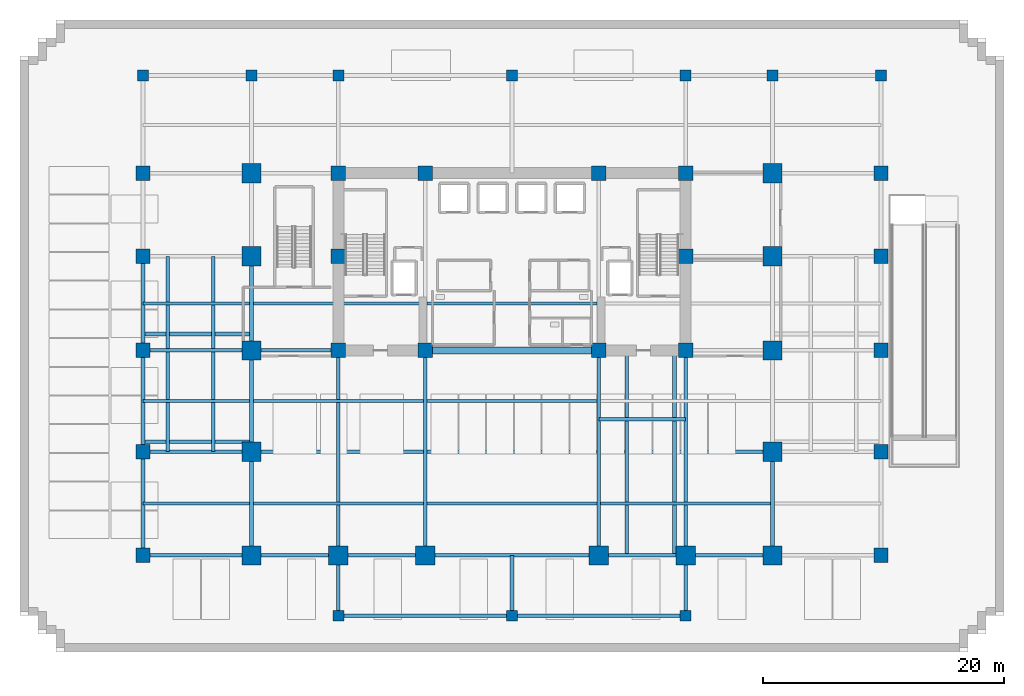
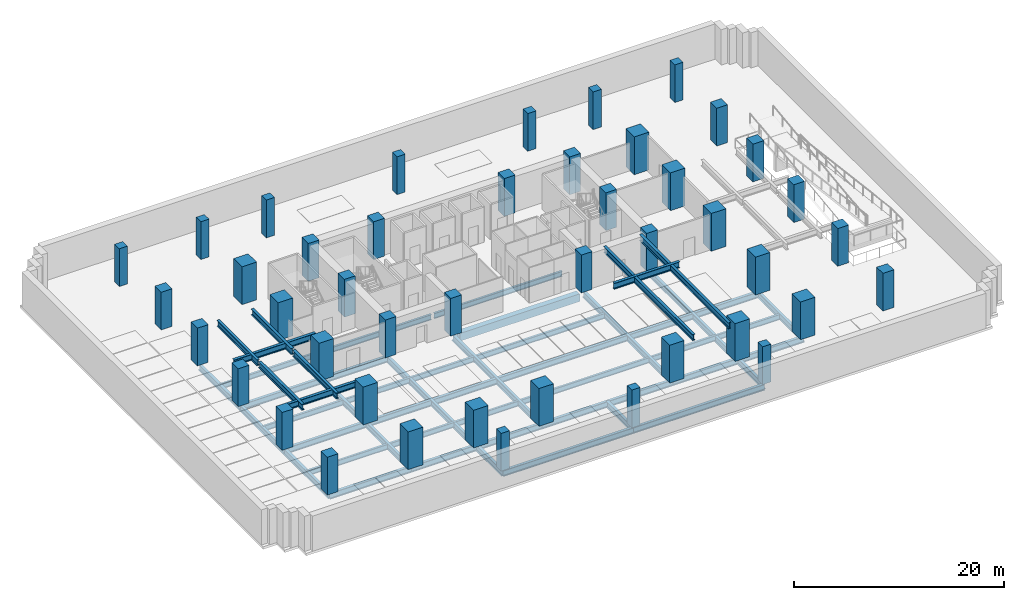
# One storey, part 1 of 14: 46 beams, 44 columns.
"""IFC4 building model written with IfcOpenShell, lengths in metres."""

from ifc_helpers import new_model, si_unit, direction, frame, origin, origin_2d, place, context, subcontext, project, spatial, rectangle, i_section, extrude, material, material_profile, profile_set, type_object, element, save


model = new_model("IFC4")

# Units and contexts
model_context = context("Model", 3, precision=1e-05, world=origin(), true_north=direction((0.0, 1.0)))
body_context = subcontext(model_context, "Body", "Model", "MODEL_VIEW")
ifc_project = project(units=[si_unit("LENGTHUNIT", "METRE"), si_unit("AREAUNIT", "SQUARE_METRE"), si_unit("VOLUMEUNIT", "CUBIC_METRE"), si_unit("PLANEANGLEUNIT", "RADIAN"), si_unit("MASSUNIT", "GRAM", prefix="KILO")], contexts=[model_context])

# Site, building, storey
site_placement = place(None, origin())
site = spatial("IfcSite", under=ifc_project, at=site_placement, CompositionType="ELEMENT")
building_placement = place(site_placement, origin())
building = spatial("IfcBuilding", under=site, at=building_placement, Name="Zarnakvel Exchange Tower", CompositionType="ELEMENT")
storey_placement = place(building_placement, frame((0.0, 0.0, -4.39990234375)))
storey = spatial("IfcBuildingStorey", under=building, at=storey_placement, Name="B01", CompositionType="ELEMENT", Elevation=-4.39990234375)

# Columns
ifc_material_1 = material(Name="Concrete C80/95", Category="concrete")
ifc_material_profile_1 = material_profile(ifc_material_1, rectangle(XDim=1.199951171875, YDim=1.199951171875, at=origin_2d()))
ifc_profile_set_1 = profile_set([ifc_material_profile_1], Name="Concrete C80/95")
column_type_1 = type_object("IfcColumnType", Name="CC-01", PredefinedType="COLUMN", material=ifc_profile_set_1)
for number, where, z_axis, x_axis, name in (
    (1, (-14.39990234375, -1.199951171875, 0.0), (0.0, 0.0, 1.0), (1.0, 0.0, 0.0), "B01 Column C-4D (CC-01)"),
    (2, (-7.199951171875, -1.199951171875, 0.0), (0.0, 0.0, 1.0), (1.0, 0.0, 0.0), "B01 Column C-5D (CC-01)"),
    (3, (7.199951171875, -1.199951171875, 0.0), (0.0, 0.0, 1.0), (1.0, 0.0, 0.0), "B01 Column C-8D (CC-01)"),
    (4, (14.39990234375, -1.199951171875, 0.0), (0.0, 0.0, 1.0), (1.0, 0.0, 0.0), "B01 Column C-9D (CC-01)"),
    (5, (-14.39990234375, 6.60009765625, 0.0), (0.0, 0.0, 1.0), (1.0, 0.0, 0.0), "B01 Column C-4E (CC-01)"),
    (6, (14.39990234375, 6.60009765625, 0.0), (0.0, 0.0, 1.0), (1.0, 0.0, 0.0), "B01 Column C-9E (CC-01)"),
    (7, (-14.39990234375, 13.5, 0.0), (0.0, 0.0, 1.0), (1.0, 0.0, 0.0), "B01 Column C-4F (CC-01)"),
    (8, (-7.199951171875, 13.5, 0.0), (0.0, 0.0, 1.0), (1.0, 0.0, 0.0), "B01 Column C-5F (CC-01)"),
    (9, (7.199951171875, 13.5, 0.0), (0.0, 0.0, 1.0), (1.0, 0.0, 0.0), "B01 Column C-8F (CC-01)"),
    (10, (14.39990234375, 13.5, 0.0), (0.0, 0.0, 1.0), (1.0, 0.0, 0.0), "B01 Column C-9F (CC-01)"),
):
    element("IfcColumn", number, at=place(storey_placement, frame(where, z_axis=z_axis, x_axis=x_axis)), inside=storey, type_object=column_type_1, Name=name, PredefinedType="COLUMN", context=body_context, shape_type="SweptSolid", body=[
        extrude(rectangle(XDim=1.199951171875, YDim=1.199951171875, at=origin_2d()), origin(), (0.0, 0.0, 1.0), 4.39990234375),
    ])
ifc_material_profile_2 = material_profile(ifc_material_1, rectangle(XDim=1.60009765625, YDim=1.60009765625, at=origin_2d()))
ifc_profile_set_2 = profile_set([ifc_material_profile_2], Name="Concrete C80/95")
column_type_2 = type_object("IfcColumnType", Name="MC-01", PredefinedType="COLUMN", material=ifc_profile_set_2)
for number, where, z_axis, x_axis, name in (
    (11, (-21.60009765625, -18.199951171875, 0.0), (0.0, 0.0, 1.0), (1.0, 0.0, 0.0), "B01 Column M-3B (MC-01)"),
    (12, (-14.39990234375, -18.199951171875, 0.0), (0.0, 0.0, 1.0), (1.0, 0.0, 0.0), "B01 Column M-4B (MC-01)"),
    (13, (-7.199951171875, -18.199951171875, 0.0), (0.0, 0.0, 1.0), (1.0, 0.0, 0.0), "B01 Column M-5B (MC-01)"),
    (14, (7.199951171875, -18.199951171875, 0.0), (0.0, 0.0, 1.0), (1.0, 0.0, 0.0), "B01 Column M-8B (MC-01)"),
    (15, (14.39990234375, -18.199951171875, 0.0), (0.0, 0.0, 1.0), (1.0, 0.0, 0.0), "B01 Column M-9B (MC-01)"),
    (16, (21.60009765625, -18.199951171875, 0.0), (0.0, 0.0, 1.0), (1.0, 0.0, 0.0), "B01 Column M-10B (MC-01)"),
    (17, (-21.60009765625, -9.60009765625, 0.0), (0.0, 0.0, 1.0), (1.0, 0.0, 0.0), "B01 Column M-3C (MC-01)"),
    (18, (21.60009765625, -9.60009765625, 0.0), (0.0, 0.0, 1.0), (1.0, 0.0, 0.0), "B01 Column M-10C (MC-01)"),
    (19, (-21.60009765625, -1.199951171875, 0.0), (0.0, 0.0, 1.0), (1.0, 0.0, 0.0), "B01 Column M-3D (MC-01)"),
    (20, (21.60009765625, -1.199951171875, 0.0), (0.0, 0.0, 1.0), (1.0, 0.0, 0.0), "B01 Column M-10D (MC-01)"),
    (21, (-21.60009765625, 6.60009765625, 0.0), (0.0, 0.0, 1.0), (1.0, 0.0, 0.0), "B01 Column M-3E (MC-01)"),
    (22, (21.60009765625, 6.60009765625, 0.0), (0.0, 0.0, 1.0), (1.0, 0.0, 0.0), "B01 Column M-10E (MC-01)"),
    (23, (-21.60009765625, 13.5, 0.0), (0.0, 0.0, 1.0), (1.0, 0.0, 0.0), "B01 Column M-3F (MC-01)"),
    (24, (21.60009765625, 13.5, 0.0), (0.0, 0.0, 1.0), (1.0, 0.0, 0.0), "B01 Column M-10F (MC-01)"),
):
    element("IfcColumn", number, at=place(storey_placement, frame(where, z_axis=z_axis, x_axis=x_axis)), inside=storey, type_object=column_type_2, Name=name, PredefinedType="COLUMN", context=body_context, shape_type="SweptSolid", body=[
        extrude(rectangle(XDim=1.60009765625, YDim=1.60009765625, at=origin_2d()), origin(), (0.0, 0.0, 1.0), 4.39990234375),
    ])
ifc_material_profile_3 = material_profile(ifc_material_1, rectangle(XDim=1.199951171875, YDim=1.199951171875, at=origin_2d()))
ifc_profile_set_3 = profile_set([ifc_material_profile_3], Name="Concrete C80/95")
column_type_3 = type_object("IfcColumnType", Name="MC-03", PredefinedType="COLUMN", material=ifc_profile_set_3)
for number, where, z_axis, x_axis, name in (
    (25, (-30.60009765625, -18.199951171875, 0.0), (0.0, 0.0, 1.0), (1.0, 0.0, 0.0), "B01 Column W-2B (MC-03)"),
    (26, (-30.60009765625, -9.60009765625, 0.0), (0.0, 0.0, 1.0), (1.0, 0.0, 0.0), "B01 Column W-2C (MC-03)"),
    (27, (-30.60009765625, -1.199951171875, 0.0), (0.0, 0.0, 1.0), (1.0, 0.0, 0.0), "B01 Column W-2D (MC-03)"),
    (28, (-30.60009765625, 6.60009765625, 0.0), (0.0, 0.0, 1.0), (1.0, 0.0, 0.0), "B01 Column W-2E (MC-03)"),
    (29, (-30.60009765625, 13.5, 0.0), (0.0, 0.0, 1.0), (1.0, 0.0, 0.0), "B01 Column W-2F (MC-03)"),
    (30, (30.60009765625, -18.199951171875, 0.0), (0.0, 0.0, 1.0), (1.0, 0.0, 0.0), "B01 Column W-11B (MC-03)"),
    (31, (30.60009765625, -9.60009765625, 0.0), (0.0, 0.0, 1.0), (1.0, 0.0, 0.0), "B01 Column W-11C (MC-03)"),
    (32, (30.60009765625, -1.199951171875, 0.0), (0.0, 0.0, 1.0), (1.0, 0.0, 0.0), "B01 Column W-11D (MC-03)"),
    (33, (30.60009765625, 6.60009765625, 0.0), (0.0, 0.0, 1.0), (1.0, 0.0, 0.0), "B01 Column W-11E (MC-03)"),
    (34, (30.60009765625, 13.5, 0.0), (0.0, 0.0, 1.0), (1.0, 0.0, 0.0), "B01 Column W-11F (MC-03)"),
):
    element("IfcColumn", number, at=place(storey_placement, frame(where, z_axis=z_axis, x_axis=x_axis)), inside=storey, type_object=column_type_3, Name=name, PredefinedType="COLUMN", context=body_context, shape_type="SweptSolid", body=[
        extrude(rectangle(XDim=1.199951171875, YDim=1.199951171875, at=origin_2d()), origin(), (0.0, 0.0, 1.0), 4.39990234375),
    ])
ifc_material_2 = material(Name="Concrete C50/60", Category="concrete")
ifc_material_profile_4 = material_profile(ifc_material_2, rectangle(XDim=0.89990234375, YDim=0.89990234375, at=origin_2d()))
ifc_profile_set_4 = profile_set([ifc_material_profile_4], Name="Concrete C50/60")
column_type_4 = type_object("IfcColumnType", Name="MC-04", PredefinedType="COLUMN", material=ifc_profile_set_4)
for number, where, z_axis, x_axis, name in (
    (35, (-30.60009765625, 21.60009765625, 0.0), (0.0, 0.0, 1.0), (1.0, 0.0, 0.0), "B01 Column P-2G (MC-04)"),
    (36, (30.60009765625, 21.60009765625, 0.0), (0.0, 0.0, 1.0), (1.0, 0.0, 0.0), "B01 Column P-11G (MC-04)"),
    (37, (-21.60009765625, 21.60009765625, 0.0), (0.0, 0.0, 1.0), (1.0, 0.0, 0.0), "B01 Column P-3G (MC-04)"),
    (38, (21.60009765625, 21.60009765625, 0.0), (0.0, 0.0, 1.0), (1.0, 0.0, 0.0), "B01 Column P-10G (MC-04)"),
    (39, (-14.39990234375, -23.199951171875, 0.0), (0.0, 0.0, 1.0), (1.0, 0.0, 0.0), "B01 Column P-4A (MC-04)"),
    (40, (0.0, -23.199951171875, 0.0), (0.0, 0.0, 1.0), (1.0, 0.0, 0.0), "B01 Column P-65A (MC-04)"),
    (41, (14.39990234375, -23.199951171875, 0.0), (0.0, 0.0, 1.0), (1.0, 0.0, 0.0), "B01 Column P-9A (MC-04)"),
    (42, (-14.39990234375, 21.60009765625, 0.0), (0.0, 0.0, 1.0), (1.0, 0.0, 0.0), "B01 Column P-4G (MC-04)"),
    (43, (0.0, 21.60009765625, 0.0), (0.0, 0.0, 1.0), (1.0, 0.0, 0.0), "B01 Column P-65G (MC-04)"),
    (44, (14.39990234375, 21.60009765625, 0.0), (0.0, 0.0, 1.0), (1.0, 0.0, 0.0), "B01 Column P-9G (MC-04)"),
):
    element("IfcColumn", number, at=place(storey_placement, frame(where, z_axis=z_axis, x_axis=x_axis)), inside=storey, type_object=column_type_4, Name=name, PredefinedType="COLUMN", context=body_context, shape_type="SweptSolid", body=[
        extrude(rectangle(XDim=0.89990234375, YDim=0.89990234375, at=origin_2d()), origin(), (0.0, 0.0, 1.0), 4.39990234375),
    ])

# Beams
ifc_material_3 = material(Name="Steel S355", Category="steel")
ifc_material_profile_5 = material_profile(ifc_material_3, i_section(OverallWidth=0.230224609375, OverallDepth=0.6171875, WebThickness=0.01318359375, FlangeThickness=0.022216796875, FilletRadius=0.0126953125, at=origin_2d()))
ifc_profile_set_5 = profile_set([ifc_material_profile_5], Name="Steel S355")
beam_type_1 = type_object("IfcBeamType", Name="B-02", PredefinedType="JOIST", material=ifc_profile_set_5)
beam_1_placement = place(storey_placement, frame((-30.60009765625, -13.89990234375, -0.588623046875), z_axis=(1.0, 0.0, 0.0), x_axis=(0.0, 1.0, 0.0)))
element("IfcBeam", 45, at=beam_1_placement, inside=storey, type_object=beam_type_1, Name="B01 Secondary Floor Joist", PredefinedType="JOIST", context=body_context, shape_type="SweptSolid", body=[
    extrude(i_section(OverallWidth=0.230224609375, OverallDepth=0.6171875, WebThickness=0.01318359375, FlangeThickness=0.022216796875, FilletRadius=0.0126953125, at=origin_2d()), origin(), (0.0, 0.0, 1.0), 8.85009765625),
])
beam_2_placement = place(storey_placement, frame((-21.449951171875, -13.89990234375, -0.588623046875), z_axis=(1.0, 0.0, 0.0), x_axis=(0.0, 1.0, 0.0)))
element("IfcBeam", 46, at=beam_2_placement, inside=storey, type_object=beam_type_1, Name="B01 Secondary Floor Joist", PredefinedType="JOIST", context=body_context, shape_type="SweptSolid", body=[
    extrude(i_section(OverallWidth=0.230224609375, OverallDepth=0.6171875, WebThickness=0.01318359375, FlangeThickness=0.022216796875, FilletRadius=0.0126953125, at=origin_2d()), origin(), (0.0, 0.0, 1.0), 14.099853515625),
])
beam_3_placement = place(storey_placement, frame((-7.050048828125, -13.89990234375, -0.588623046875), z_axis=(1.0, 0.0, 0.0), x_axis=(0.0, 1.0, 0.0)))
element("IfcBeam", 47, at=beam_3_placement, inside=storey, type_object=beam_type_1, Name="B01 Secondary Floor Joist", PredefinedType="JOIST", context=body_context, shape_type="SweptSolid", body=[
    extrude(i_section(OverallWidth=0.230224609375, OverallDepth=0.6171875, WebThickness=0.01318359375, FlangeThickness=0.022216796875, FilletRadius=0.0126953125, at=origin_2d()), origin(), (0.0, 0.0, 1.0), 14.10009765625),
])
beam_4_placement = place(storey_placement, frame((7.35009765625, -13.89990234375, -0.588623046875), z_axis=(1.0, 0.0, 0.0), x_axis=(0.0, 1.0, 0.0)))
element("IfcBeam", 48, at=beam_4_placement, inside=storey, type_object=beam_type_1, Name="B01 Secondary Floor Joist", PredefinedType="JOIST", context=body_context, shape_type="SweptSolid", body=[
    extrude(i_section(OverallWidth=0.230224609375, OverallDepth=0.6171875, WebThickness=0.01318359375, FlangeThickness=0.022216796875, FilletRadius=0.0126953125, at=origin_2d()), origin(), (0.0, 0.0, 1.0), 14.099853515625),
])
beam_5_placement = place(storey_placement, frame((-30.60009765625, -5.39990234375, -0.588623046875), z_axis=(1.0, 0.0, 0.0), x_axis=(0.0, 1.0, 0.0)))
element("IfcBeam", 49, at=beam_5_placement, inside=storey, type_object=beam_type_1, Name="B01 Secondary Floor Joist", PredefinedType="JOIST", context=body_context, shape_type="SweptSolid", body=[
    extrude(i_section(OverallWidth=0.230224609375, OverallDepth=0.6171875, WebThickness=0.01318359375, FlangeThickness=0.022216796875, FilletRadius=0.0126953125, at=origin_2d()), origin(), (0.0, 0.0, 1.0), 8.85009765625),
])
beam_6_placement = place(storey_placement, frame((-21.449951171875, -5.39990234375, -0.588623046875), z_axis=(1.0, 0.0, 0.0), x_axis=(0.0, 1.0, 0.0)))
element("IfcBeam", 50, at=beam_6_placement, inside=storey, type_object=beam_type_1, Name="B01 Secondary Floor Joist", PredefinedType="JOIST", context=body_context, shape_type="SweptSolid", body=[
    extrude(i_section(OverallWidth=0.230224609375, OverallDepth=0.6171875, WebThickness=0.01318359375, FlangeThickness=0.022216796875, FilletRadius=0.0126953125, at=origin_2d()), origin(), (0.0, 0.0, 1.0), 14.099853515625),
])
beam_7_placement = place(storey_placement, frame((-7.050048828125, -5.39990234375, -0.588623046875), z_axis=(1.0, 0.0, 0.0), x_axis=(0.0, 1.0, 0.0)))
element("IfcBeam", 51, at=beam_7_placement, inside=storey, type_object=beam_type_1, Name="B01 Secondary Floor Joist", PredefinedType="JOIST", context=body_context, shape_type="SweptSolid", body=[
    extrude(i_section(OverallWidth=0.230224609375, OverallDepth=0.6171875, WebThickness=0.01318359375, FlangeThickness=0.022216796875, FilletRadius=0.0126953125, at=origin_2d()), origin(), (0.0, 0.0, 1.0), 14.10009765625),
])
beam_8_placement = place(storey_placement, frame((-30.60009765625, 2.699951171875, -0.588623046875), z_axis=(1.0, 0.0, 0.0), x_axis=(0.0, 1.0, 0.0)))
element("IfcBeam", 52, at=beam_8_placement, inside=storey, type_object=beam_type_1, Name="B01 Secondary Floor Joist", PredefinedType="JOIST", context=body_context, shape_type="SweptSolid", body=[
    extrude(i_section(OverallWidth=0.230224609375, OverallDepth=0.6171875, WebThickness=0.01318359375, FlangeThickness=0.022216796875, FilletRadius=0.0126953125, at=origin_2d()), origin(), (0.0, 0.0, 1.0), 8.85009765625),
])
beam_9_placement = place(storey_placement, frame((-21.449951171875, 2.699951171875, -0.588623046875), z_axis=(1.0, 0.0, 0.0), x_axis=(0.0, 1.0, 0.0)))
element("IfcBeam", 53, at=beam_9_placement, inside=storey, type_object=beam_type_1, Name="B01 Secondary Floor Joist", PredefinedType="JOIST", context=body_context, shape_type="SweptSolid", body=[
    extrude(i_section(OverallWidth=0.230224609375, OverallDepth=0.6171875, WebThickness=0.01318359375, FlangeThickness=0.022216796875, FilletRadius=0.0126953125, at=origin_2d()), origin(), (0.0, 0.0, 1.0), 14.099853515625),
])
beam_10_placement = place(storey_placement, frame((-7.050048828125, 2.699951171875, -0.588623046875), z_axis=(1.0, 0.0, 0.0), x_axis=(0.0, 1.0, 0.0)))
element("IfcBeam", 54, at=beam_10_placement, inside=storey, type_object=beam_type_1, Name="B01 Secondary Floor Joist", PredefinedType="JOIST", context=body_context, shape_type="SweptSolid", body=[
    extrude(i_section(OverallWidth=0.230224609375, OverallDepth=0.6171875, WebThickness=0.01318359375, FlangeThickness=0.022216796875, FilletRadius=0.0126953125, at=origin_2d()), origin(), (0.0, 0.0, 1.0), 14.10009765625),
])
ifc_material_profile_6 = material_profile(ifc_material_1, rectangle(XDim=0.60009765625, YDim=0.89990234375, at=origin_2d()))
ifc_profile_set_6 = profile_set([ifc_material_profile_6], Name="Concrete C80/95")
beam_type_2 = type_object("IfcBeamType", Name="CB-01", PredefinedType="LINTEL", material=ifc_profile_set_6)
beam_11_placement = place(storey_placement, frame((-6.60009765625, -1.199951171875, -0.72998046875), z_axis=(1.0, 0.0, 0.0), x_axis=(0.0, 1.0, 0.0)))
element("IfcBeam", 55, at=beam_11_placement, inside=storey, type_object=beam_type_2, Name="B01 Rear Core South Coupling Beam (CB-01)", PredefinedType="LINTEL", context=body_context, shape_type="SweptSolid", body=[
    extrude(rectangle(XDim=0.60009765625, YDim=0.89990234375, at=origin_2d()), origin(), (0.0, 0.0, 1.0), 13.2001953125),
])
ifc_material_profile_7 = material_profile(ifc_material_3, i_section(OverallWidth=0.300048828125, OverallDepth=0.699951171875, WebThickness=0.01708984375, FlangeThickness=0.031982421875, FilletRadius=0.027099609375, at=origin_2d()))
ifc_profile_set_7 = profile_set([ifc_material_profile_7], Name="Steel S355")
beam_type_3 = type_object("IfcBeamType", Name="G-03", PredefinedType="BEAM", material=ifc_profile_set_7)
beam_12_placement = place(storey_placement, frame((-30.60009765625, -18.199951171875, -0.630126953125), z_axis=(1.0, 0.0, 0.0), x_axis=(0.0, 1.0, 0.0)))
element("IfcBeam", 56, at=beam_12_placement, inside=storey, type_object=beam_type_3, Name="B01 Primary E-W Girder Y=-18.2", PredefinedType="BEAM", context=body_context, shape_type="SweptSolid", body=[
    extrude(i_section(OverallWidth=0.300048828125, OverallDepth=0.699951171875, WebThickness=0.01708984375, FlangeThickness=0.031982421875, FilletRadius=0.027099609375, at=origin_2d()), origin(), (0.0, 0.0, 1.0), 9.0),
])
beam_13_placement = place(storey_placement, frame((-21.60009765625, -18.199951171875, -0.630126953125), z_axis=(1.0, 0.0, 0.0), x_axis=(0.0, 1.0, 0.0)))
element("IfcBeam", 57, at=beam_13_placement, inside=storey, type_object=beam_type_3, Name="B01 Primary E-W Girder Y=-18.2", PredefinedType="BEAM", context=body_context, shape_type="SweptSolid", body=[
    extrude(i_section(OverallWidth=0.300048828125, OverallDepth=0.699951171875, WebThickness=0.01708984375, FlangeThickness=0.031982421875, FilletRadius=0.027099609375, at=origin_2d()), origin(), (0.0, 0.0, 1.0), 7.2001953125),
])
beam_14_placement = place(storey_placement, frame((-14.39990234375, -18.199951171875, -0.630126953125), z_axis=(1.0, 0.0, 0.0), x_axis=(0.0, 1.0, 0.0)))
element("IfcBeam", 58, at=beam_14_placement, inside=storey, type_object=beam_type_3, Name="B01 Primary E-W Girder Y=-18.2", PredefinedType="BEAM", context=body_context, shape_type="SweptSolid", body=[
    extrude(i_section(OverallWidth=0.300048828125, OverallDepth=0.699951171875, WebThickness=0.01708984375, FlangeThickness=0.031982421875, FilletRadius=0.027099609375, at=origin_2d()), origin(), (0.0, 0.0, 1.0), 7.199951171875),
])
beam_15_placement = place(storey_placement, frame((-7.199951171875, -18.199951171875, -0.630126953125), z_axis=(1.0, 0.0, 0.0), x_axis=(0.0, 1.0, 0.0)))
element("IfcBeam", 59, at=beam_15_placement, inside=storey, type_object=beam_type_3, Name="B01 Primary E-W Girder Y=-18.2", PredefinedType="BEAM", context=body_context, shape_type="SweptSolid", body=[
    extrude(i_section(OverallWidth=0.300048828125, OverallDepth=0.699951171875, WebThickness=0.01708984375, FlangeThickness=0.031982421875, FilletRadius=0.027099609375, at=origin_2d()), origin(), (0.0, 0.0, 1.0), 14.39990234375),
])
beam_16_placement = place(storey_placement, frame((7.199951171875, -18.199951171875, -0.630126953125), z_axis=(1.0, 0.0, 0.0), x_axis=(0.0, 1.0, 0.0)))
element("IfcBeam", 60, at=beam_16_placement, inside=storey, type_object=beam_type_3, Name="B01 Primary E-W Girder Y=-18.2", PredefinedType="BEAM", context=body_context, shape_type="SweptSolid", body=[
    extrude(i_section(OverallWidth=0.300048828125, OverallDepth=0.699951171875, WebThickness=0.01708984375, FlangeThickness=0.031982421875, FilletRadius=0.027099609375, at=origin_2d()), origin(), (0.0, 0.0, 1.0), 7.199951171875),
])
beam_17_placement = place(storey_placement, frame((14.39990234375, -18.199951171875, -0.630126953125), z_axis=(1.0, 0.0, 0.0), x_axis=(0.0, 1.0, 0.0)))
element("IfcBeam", 61, at=beam_17_placement, inside=storey, type_object=beam_type_3, Name="B01 Primary E-W Girder Y=-18.2", PredefinedType="BEAM", context=body_context, shape_type="SweptSolid", body=[
    extrude(i_section(OverallWidth=0.300048828125, OverallDepth=0.699951171875, WebThickness=0.01708984375, FlangeThickness=0.031982421875, FilletRadius=0.027099609375, at=origin_2d()), origin(), (0.0, 0.0, 1.0), 7.2001953125),
])
beam_18_placement = place(storey_placement, frame((-30.60009765625, -9.60009765625, -0.630126953125), z_axis=(1.0, 0.0, 0.0), x_axis=(0.0, 1.0, 0.0)))
element("IfcBeam", 62, at=beam_18_placement, inside=storey, type_object=beam_type_3, Name="B01 Primary E-W Girder Y=-9.6", PredefinedType="BEAM", context=body_context, shape_type="SweptSolid", body=[
    extrude(i_section(OverallWidth=0.300048828125, OverallDepth=0.699951171875, WebThickness=0.01708984375, FlangeThickness=0.031982421875, FilletRadius=0.027099609375, at=origin_2d()), origin(), (0.0, 0.0, 1.0), 9.0),
])
beam_19_placement = place(storey_placement, frame((-21.60009765625, -9.60009765625, -0.630126953125), z_axis=(1.0, 0.0, 0.0), x_axis=(0.0, 1.0, 0.0)))
element("IfcBeam", 63, at=beam_19_placement, inside=storey, type_object=beam_type_3, Name="B01 Primary E-W Girder Y=-9.6", PredefinedType="BEAM", context=body_context, shape_type="SweptSolid", body=[
    extrude(i_section(OverallWidth=0.300048828125, OverallDepth=0.699951171875, WebThickness=0.01708984375, FlangeThickness=0.031982421875, FilletRadius=0.027099609375, at=origin_2d()), origin(), (0.0, 0.0, 1.0), 43.2001953125),
])
beam_20_placement = place(storey_placement, frame((-30.60009765625, -1.199951171875, -0.630126953125), z_axis=(1.0, 0.0, 0.0), x_axis=(0.0, 1.0, 0.0)))
element("IfcBeam", 64, at=beam_20_placement, inside=storey, type_object=beam_type_3, Name="B01 Primary E-W Girder Y=-1.2", PredefinedType="BEAM", context=body_context, shape_type="SweptSolid", body=[
    extrude(i_section(OverallWidth=0.300048828125, OverallDepth=0.699951171875, WebThickness=0.01708984375, FlangeThickness=0.031982421875, FilletRadius=0.027099609375, at=origin_2d()), origin(), (0.0, 0.0, 1.0), 9.0),
])
beam_21_placement = place(storey_placement, frame((-21.60009765625, -1.199951171875, -0.630126953125), z_axis=(1.0, 0.0, 0.0), x_axis=(0.0, 1.0, 0.0)))
element("IfcBeam", 65, at=beam_21_placement, inside=storey, type_object=beam_type_3, Name="B01 Primary E-W Girder Y=-1.2", PredefinedType="BEAM", context=body_context, shape_type="SweptSolid", body=[
    extrude(i_section(OverallWidth=0.300048828125, OverallDepth=0.699951171875, WebThickness=0.01708984375, FlangeThickness=0.031982421875, FilletRadius=0.027099609375, at=origin_2d()), origin(), (0.0, 0.0, 1.0), 7.2001953125),
])
for number, where, z_axis, x_axis, name in (
    (66, (-14.39990234375, -23.199951171875, -0.630126953125), (1.0, 0.0, 0.0), (0.0, 1.0, 0.0), "B01 Primary E-W Girder Y=-23.2"),
    (67, (0.0, -23.199951171875, -0.630126953125), (1.0, 0.0, 0.0), (0.0, 1.0, 0.0), "B01 Primary E-W Girder Y=-23.2"),
):
    element("IfcBeam", number, at=place(storey_placement, frame(where, z_axis=z_axis, x_axis=x_axis)), inside=storey, type_object=beam_type_3, Name=name, PredefinedType="BEAM", context=body_context, shape_type="SweptSolid", body=[
        extrude(i_section(OverallWidth=0.300048828125, OverallDepth=0.699951171875, WebThickness=0.01708984375, FlangeThickness=0.031982421875, FilletRadius=0.027099609375, at=origin_2d()), origin(), (0.0, 0.0, 1.0), 14.39990234375),
    ])
beam_22_placement = place(storey_placement, frame((-30.60009765625, -18.199951171875, -0.630126953125), z_axis=(0.0, 1.0, 0.0), x_axis=(-1.0, 0.0, 0.0)))
element("IfcBeam", 68, at=beam_22_placement, inside=storey, type_object=beam_type_3, Name="B01 Primary N-S Girder X=-30.6", PredefinedType="BEAM", context=body_context, shape_type="SweptSolid", body=[
    extrude(i_section(OverallWidth=0.300048828125, OverallDepth=0.699951171875, WebThickness=0.01708984375, FlangeThickness=0.031982421875, FilletRadius=0.027099609375, at=origin_2d()), origin(), (0.0, 0.0, 1.0), 8.599853515625),
])
beam_23_placement = place(storey_placement, frame((-30.60009765625, -9.60009765625, -0.630126953125), z_axis=(0.0, 1.0, 0.0), x_axis=(-1.0, 0.0, 0.0)))
element("IfcBeam", 69, at=beam_23_placement, inside=storey, type_object=beam_type_3, Name="B01 Primary N-S Girder X=-30.6", PredefinedType="BEAM", context=body_context, shape_type="SweptSolid", body=[
    extrude(i_section(OverallWidth=0.300048828125, OverallDepth=0.699951171875, WebThickness=0.01708984375, FlangeThickness=0.031982421875, FilletRadius=0.027099609375, at=origin_2d()), origin(), (0.0, 0.0, 1.0), 8.400146484375),
])
beam_24_placement = place(storey_placement, frame((-30.60009765625, -1.199951171875, -0.630126953125), z_axis=(0.0, 1.0, 0.0), x_axis=(-1.0, 0.0, 0.0)))
element("IfcBeam", 70, at=beam_24_placement, inside=storey, type_object=beam_type_3, Name="B01 Primary N-S Girder X=-30.6", PredefinedType="BEAM", context=body_context, shape_type="SweptSolid", body=[
    extrude(i_section(OverallWidth=0.300048828125, OverallDepth=0.699951171875, WebThickness=0.01708984375, FlangeThickness=0.031982421875, FilletRadius=0.027099609375, at=origin_2d()), origin(), (0.0, 0.0, 1.0), 7.800048828125),
])
beam_25_placement = place(storey_placement, frame((-21.60009765625, -18.199951171875, -0.630126953125), z_axis=(0.0, 1.0, 0.0), x_axis=(-1.0, 0.0, 0.0)))
element("IfcBeam", 71, at=beam_25_placement, inside=storey, type_object=beam_type_3, Name="B01 Primary N-S Girder X=-21.6", PredefinedType="BEAM", context=body_context, shape_type="SweptSolid", body=[
    extrude(i_section(OverallWidth=0.300048828125, OverallDepth=0.699951171875, WebThickness=0.01708984375, FlangeThickness=0.031982421875, FilletRadius=0.027099609375, at=origin_2d()), origin(), (0.0, 0.0, 1.0), 8.599853515625),
])
beam_26_placement = place(storey_placement, frame((-21.60009765625, -9.60009765625, -0.630126953125), z_axis=(0.0, 1.0, 0.0), x_axis=(-1.0, 0.0, 0.0)))
element("IfcBeam", 72, at=beam_26_placement, inside=storey, type_object=beam_type_3, Name="B01 Primary N-S Girder X=-21.6", PredefinedType="BEAM", context=body_context, shape_type="SweptSolid", body=[
    extrude(i_section(OverallWidth=0.300048828125, OverallDepth=0.699951171875, WebThickness=0.01708984375, FlangeThickness=0.031982421875, FilletRadius=0.027099609375, at=origin_2d()), origin(), (0.0, 0.0, 1.0), 8.400146484375),
])
beam_27_placement = place(storey_placement, frame((-21.60009765625, -1.199951171875, -0.630126953125), z_axis=(0.0, 1.0, 0.0), x_axis=(-1.0, 0.0, 0.0)))
element("IfcBeam", 73, at=beam_27_placement, inside=storey, type_object=beam_type_3, Name="B01 Primary N-S Girder X=-21.6", PredefinedType="BEAM", context=body_context, shape_type="SweptSolid", body=[
    extrude(i_section(OverallWidth=0.300048828125, OverallDepth=0.699951171875, WebThickness=0.01708984375, FlangeThickness=0.031982421875, FilletRadius=0.027099609375, at=origin_2d()), origin(), (0.0, 0.0, 1.0), 7.800048828125),
])
beam_28_placement = place(storey_placement, frame((-14.39990234375, -23.199951171875, -0.630126953125), z_axis=(0.0, 1.0, 0.0), x_axis=(-1.0, 0.0, 0.0)))
element("IfcBeam", 74, at=beam_28_placement, inside=storey, type_object=beam_type_3, Name="B01 Primary N-S Girder X=-14.4", PredefinedType="BEAM", context=body_context, shape_type="SweptSolid", body=[
    extrude(i_section(OverallWidth=0.300048828125, OverallDepth=0.699951171875, WebThickness=0.01708984375, FlangeThickness=0.031982421875, FilletRadius=0.027099609375, at=origin_2d()), origin(), (0.0, 0.0, 1.0), 5.0),
])
for number, where, z_axis, x_axis, name in (
    (75, (-14.39990234375, -18.199951171875, -0.630126953125), (0.0, 1.0, 0.0), (-1.0, 0.0, 0.0), "B01 Primary N-S Girder X=-14.4"),
    (76, (-7.199951171875, -18.199951171875, -0.630126953125), (0.0, 1.0, 0.0), (-1.0, 0.0, 0.0), "B01 Primary N-S Girder X=-7.2"),
):
    element("IfcBeam", number, at=place(storey_placement, frame(where, z_axis=z_axis, x_axis=x_axis)), inside=storey, type_object=beam_type_3, Name=name, PredefinedType="BEAM", context=body_context, shape_type="SweptSolid", body=[
        extrude(i_section(OverallWidth=0.300048828125, OverallDepth=0.699951171875, WebThickness=0.01708984375, FlangeThickness=0.031982421875, FilletRadius=0.027099609375, at=origin_2d()), origin(), (0.0, 0.0, 1.0), 17.0),
    ])
beam_29_placement = place(storey_placement, frame((0.0, -23.199951171875, -0.630126953125), z_axis=(0.0, 1.0, 0.0), x_axis=(-1.0, 0.0, 0.0)))
element("IfcBeam", 77, at=beam_29_placement, inside=storey, type_object=beam_type_3, Name="B01 Primary N-S Girder X=+0.0 South", PredefinedType="BEAM", context=body_context, shape_type="SweptSolid", body=[
    extrude(i_section(OverallWidth=0.300048828125, OverallDepth=0.699951171875, WebThickness=0.01708984375, FlangeThickness=0.031982421875, FilletRadius=0.027099609375, at=origin_2d()), origin(), (0.0, 0.0, 1.0), 5.0),
])
beam_30_placement = place(storey_placement, frame((7.199951171875, -18.199951171875, -0.630126953125), z_axis=(0.0, 1.0, 0.0), x_axis=(-1.0, 0.0, 0.0)))
element("IfcBeam", 78, at=beam_30_placement, inside=storey, type_object=beam_type_3, Name="B01 Primary N-S Girder X=+7.2", PredefinedType="BEAM", context=body_context, shape_type="SweptSolid", body=[
    extrude(i_section(OverallWidth=0.300048828125, OverallDepth=0.699951171875, WebThickness=0.01708984375, FlangeThickness=0.031982421875, FilletRadius=0.027099609375, at=origin_2d()), origin(), (0.0, 0.0, 1.0), 17.0),
])
beam_31_placement = place(storey_placement, frame((14.39990234375, -23.199951171875, -0.630126953125), z_axis=(0.0, 1.0, 0.0), x_axis=(-1.0, 0.0, 0.0)))
element("IfcBeam", 79, at=beam_31_placement, inside=storey, type_object=beam_type_3, Name="B01 Primary N-S Girder X=+14.4", PredefinedType="BEAM", context=body_context, shape_type="SweptSolid", body=[
    extrude(i_section(OverallWidth=0.300048828125, OverallDepth=0.699951171875, WebThickness=0.01708984375, FlangeThickness=0.031982421875, FilletRadius=0.027099609375, at=origin_2d()), origin(), (0.0, 0.0, 1.0), 5.0),
])
beam_32_placement = place(storey_placement, frame((14.39990234375, -18.199951171875, -0.630126953125), z_axis=(0.0, 1.0, 0.0), x_axis=(-1.0, 0.0, 0.0)))
element("IfcBeam", 80, at=beam_32_placement, inside=storey, type_object=beam_type_3, Name="B01 Primary N-S Girder X=+14.4", PredefinedType="BEAM", context=body_context, shape_type="SweptSolid", body=[
    extrude(i_section(OverallWidth=0.300048828125, OverallDepth=0.699951171875, WebThickness=0.01708984375, FlangeThickness=0.031982421875, FilletRadius=0.027099609375, at=origin_2d()), origin(), (0.0, 0.0, 1.0), 17.0),
])
beam_33_placement = place(storey_placement, frame((21.60009765625, -18.199951171875, -0.630126953125), z_axis=(0.0, 1.0, 0.0), x_axis=(-1.0, 0.0, 0.0)))
element("IfcBeam", 81, at=beam_33_placement, inside=storey, type_object=beam_type_3, Name="B01 Primary N-S Girder X=+21.6", PredefinedType="BEAM", context=body_context, shape_type="SweptSolid", body=[
    extrude(i_section(OverallWidth=0.300048828125, OverallDepth=0.699951171875, WebThickness=0.01708984375, FlangeThickness=0.031982421875, FilletRadius=0.027099609375, at=origin_2d()), origin(), (0.0, 0.0, 1.0), 8.599853515625),
])
beam_34_placement = place(storey_placement, frame((-28.56005859375, -9.60009765625, 3.75), z_axis=(0.0, 1.0, 0.0), x_axis=(-1.0, 0.0, 0.0)))
element("IfcBeam", 82, at=beam_34_placement, inside=storey, type_object=beam_type_3, Name="B01 Stairwell Base Support Girder STBM-B01-ST3-W1", PredefinedType="BEAM", context=body_context, shape_type="SweptSolid", body=[
    extrude(i_section(OverallWidth=0.300048828125, OverallDepth=0.699951171875, WebThickness=0.01708984375, FlangeThickness=0.031982421875, FilletRadius=0.027099609375, at=origin_2d()), origin(), (0.0, 0.0, 1.0), 8.25),
])
beam_35_placement = place(storey_placement, frame((-28.56005859375, -1.050048828125, 3.75), z_axis=(0.0, 1.0, 0.0), x_axis=(-1.0, 0.0, 0.0)))
element("IfcBeam", 83, at=beam_35_placement, inside=storey, type_object=beam_type_3, Name="B01 Stairwell Base Support Girder STBM-B01-ST3-W2", PredefinedType="BEAM", context=body_context, shape_type="SweptSolid", body=[
    extrude(i_section(OverallWidth=0.300048828125, OverallDepth=0.699951171875, WebThickness=0.01708984375, FlangeThickness=0.031982421875, FilletRadius=0.027099609375, at=origin_2d()), origin(), (0.0, 0.0, 1.0), 7.650146484375),
])
beam_36_placement = place(storey_placement, frame((-24.7900390625, -9.60009765625, 3.75), z_axis=(0.0, 1.0, 0.0), x_axis=(-1.0, 0.0, 0.0)))
element("IfcBeam", 84, at=beam_36_placement, inside=storey, type_object=beam_type_3, Name="B01 Stairwell Base Support Girder STBM-B01-ST3-E1", PredefinedType="BEAM", context=body_context, shape_type="SweptSolid", body=[
    extrude(i_section(OverallWidth=0.300048828125, OverallDepth=0.699951171875, WebThickness=0.01708984375, FlangeThickness=0.031982421875, FilletRadius=0.027099609375, at=origin_2d()), origin(), (0.0, 0.0, 1.0), 8.25),
])
beam_37_placement = place(storey_placement, frame((-24.7900390625, -1.050048828125, 3.75), z_axis=(0.0, 1.0, 0.0), x_axis=(-1.0, 0.0, 0.0)))
element("IfcBeam", 85, at=beam_37_placement, inside=storey, type_object=beam_type_3, Name="B01 Stairwell Base Support Girder STBM-B01-ST3-E2", PredefinedType="BEAM", context=body_context, shape_type="SweptSolid", body=[
    extrude(i_section(OverallWidth=0.300048828125, OverallDepth=0.699951171875, WebThickness=0.01708984375, FlangeThickness=0.031982421875, FilletRadius=0.027099609375, at=origin_2d()), origin(), (0.0, 0.0, 1.0), 7.650146484375),
])
for number, where, z_axis, x_axis, name in (
    (86, (-30.60009765625, 0.159912109375, 3.75), (1.0, 0.0, 0.0), (0.0, 1.0, 0.0), "B01 Stairwell Base Support Girder STBM-B01-ST3-N"),
    (87, (-30.60009765625, -8.760009765625, 3.75), (1.0, 0.0, 0.0), (0.0, 1.0, 0.0), "B01 Stairwell Base Support Girder STBM-B01-ST3-S"),
):
    element("IfcBeam", number, at=place(storey_placement, frame(where, z_axis=z_axis, x_axis=x_axis)), inside=storey, type_object=beam_type_3, Name=name, PredefinedType="BEAM", context=body_context, shape_type="SweptSolid", body=[
        extrude(i_section(OverallWidth=0.300048828125, OverallDepth=0.699951171875, WebThickness=0.01708984375, FlangeThickness=0.031982421875, FilletRadius=0.027099609375, at=origin_2d()), origin(), (0.0, 0.0, 1.0), 9.0),
    ])
for number, where, z_axis, x_axis, name in (
    (88, (9.52001953125, -18.199951171875, 3.75), (0.0, 1.0, 0.0), (-1.0, 0.0, 0.0), "B01 Stairwell Base Support Girder STBM-B01-ST6-W"),
    (89, (13.47998046875, -18.199951171875, 3.75), (0.0, 1.0, 0.0), (-1.0, 0.0, 0.0), "B01 Stairwell Base Support Girder STBM-B01-ST6-E"),
):
    element("IfcBeam", number, at=place(storey_placement, frame(where, z_axis=z_axis, x_axis=x_axis)), inside=storey, type_object=beam_type_3, Name=name, PredefinedType="BEAM", context=body_context, shape_type="SweptSolid", body=[
        extrude(i_section(OverallWidth=0.300048828125, OverallDepth=0.699951171875, WebThickness=0.01708984375, FlangeThickness=0.031982421875, FilletRadius=0.027099609375, at=origin_2d()), origin(), (0.0, 0.0, 1.0), 17.0),
    ])
beam_38_placement = place(storey_placement, frame((7.199951171875, -6.919921875, 3.75), z_axis=(1.0, 0.0, 0.0), x_axis=(0.0, 1.0, 0.0)))
element("IfcBeam", 90, at=beam_38_placement, inside=storey, type_object=beam_type_3, Name="B01 Stairwell Base Support Girder STBM-B01-ST6-N", PredefinedType="BEAM", context=body_context, shape_type="SweptSolid", body=[
    extrude(i_section(OverallWidth=0.300048828125, OverallDepth=0.699951171875, WebThickness=0.01708984375, FlangeThickness=0.031982421875, FilletRadius=0.027099609375, at=origin_2d()), origin(), (0.0, 0.0, 1.0), 7.199951171875),
])

save(model, "model.ifc")
